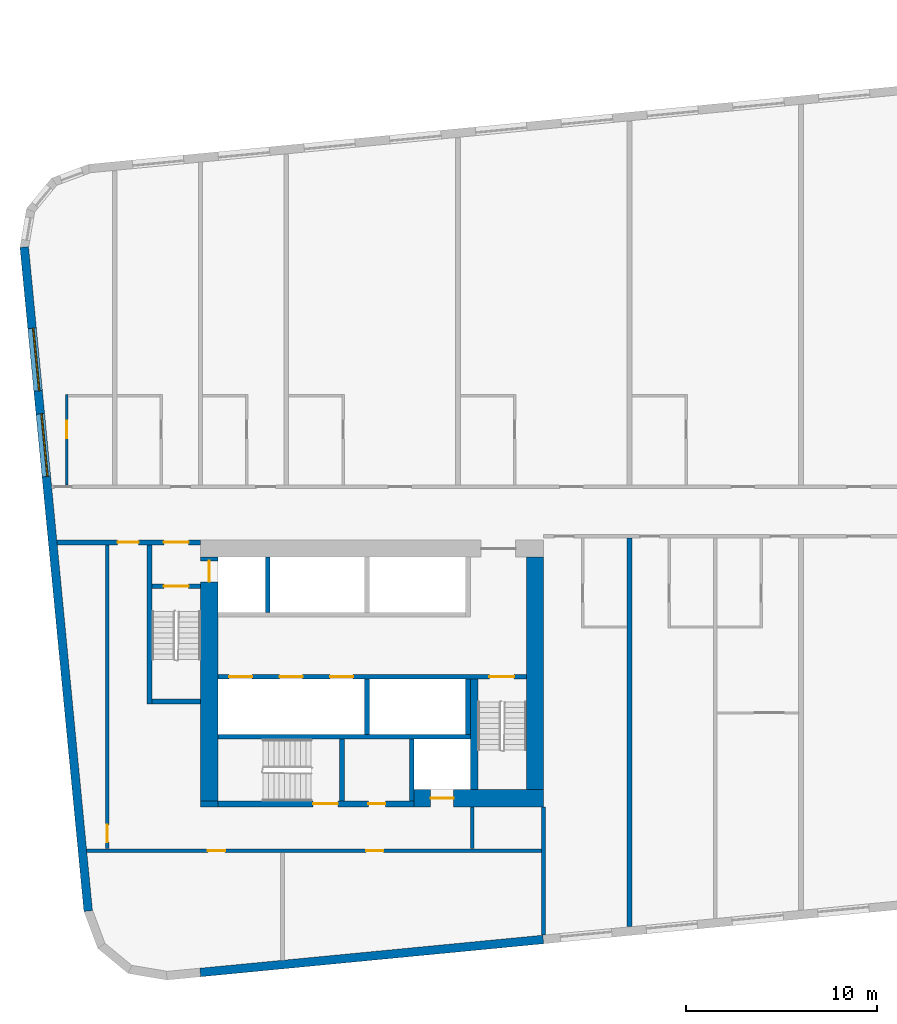
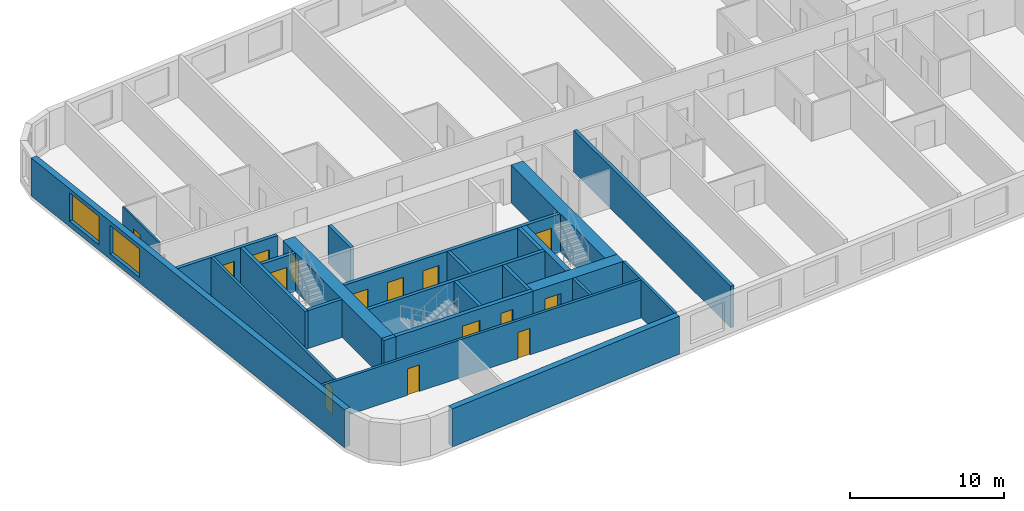
# One storey, part 2 of 12: 25 walls, 15 doors, 2 windows, 17 openings.
"""IFC4 building model written with IfcOpenShell, lengths in metres."""

from ifc_helpers import new_model, si_unit, direction, frame, frame_2d, origin, place, context, subcontext, project, spatial, rectangle, extrude, material, layer, layer_set, type_object, element, fill, save


model = new_model("IFC4")

# Units and contexts
model_context = context("Model", 3, precision=1e-05, world=origin(), true_north=direction((0.0, 1.0)))
body_context = subcontext(model_context, "Body", "Model", "MODEL_VIEW")
ifc_project = project(units=[si_unit("LENGTHUNIT", "METRE"), si_unit("AREAUNIT", "SQUARE_METRE"), si_unit("VOLUMEUNIT", "CUBIC_METRE"), si_unit("PLANEANGLEUNIT", "RADIAN"), si_unit("MASSUNIT", "GRAM", prefix="KILO")], contexts=[model_context])

# Site, building, storey
site_placement = place(None, origin())
site = spatial("IfcSite", under=ifc_project, at=site_placement, CompositionType="ELEMENT")
building_placement = place(site_placement, origin())
building = spatial("IfcBuilding", under=site, at=building_placement, Name="Kajstack Hotel Tower", CompositionType="ELEMENT")
storey_placement = place(building_placement, frame((0.0, 0.0, 114.10009765625)))
storey = spatial("IfcBuildingStorey", under=building, at=storey_placement, Name="L24", CompositionType="ELEMENT", Elevation=114.10009765625)

# Wall, opening, door
ifc_material_1 = material(Name="Concrete C60/75", Category="concrete")
ifc_layer_1 = layer(ifc_material_1, 0.89990234375)
ifc_layer_set_1 = layer_set([ifc_layer_1], Name="Core wall 900")
wall_type_1 = type_object("IfcWallType", Name="Core wall 900", PredefinedType="SHEAR", material=ifc_layer_set_1)
wall_1_placement = place(storey_placement, frame((-20.300048828125, -15.050048828125, 0.0), z_axis=(0.0, 0.0, 1.0), x_axis=(1.0, 0.0, 0.0)))
wall_1 = element("IfcWall", 1, at=wall_1_placement, inside=storey, type_object=wall_type_1, Name="Core wall W RS", PredefinedType="SHEAR", context=body_context, shape_type="SweptSolid", body=[
    extrude(rectangle(XDim=6.800048828125, YDim=0.89990234375, at=frame_2d((3.39990234375, 0.0))), origin(), (0.0, 0.0, 1.0), 3.02001953125),
])
opening_1_placement = place(wall_1_placement, frame((0.875, 0.0, 0.0)))
opening_1 = element("IfcOpeningElement", 2, at=opening_1_placement, cuts=wall_1, Name="Opening LD-SV1", PredefinedType="OPENING", context=body_context, shape_type="SweptSolid", body=[
    extrude(rectangle(XDim=1.199951171875, YDim=2.10009765625, at=frame_2d((0.60009765625, 1.050048828125))), frame((0.0, 0.4599609375, 0.0), z_axis=(0.0, -1.0, 0.0), x_axis=(1.0, 0.0, 0.0)), (0.0, 0.0, 1.0), 0.919921875),
])
ifc_material_2 = material(Name="Stainless steel", Category="steel")
door_type_1 = type_object("IfcDoorType", Name="Lift landing door 1200", OperationType="SLIDING_TO_LEFT", PredefinedType="DOOR", material=ifc_material_2)
door_1_placement = place(opening_1_placement, origin())
door_1 = element("IfcDoor", 3, at=door_1_placement, inside=storey, type_object=door_type_1, Name="Landing door SV1", OperationType="SLIDING_TO_LEFT", OverallHeight=2.10009765625, OverallWidth=1.199951171875, PredefinedType="DOOR", context=body_context, shape_type="SweptSolid", body=[
    extrude(rectangle(XDim=1.199951171875, YDim=2.10009765625, at=frame_2d((0.60009765625, 1.050048828125))), frame((0.0, 0.02490234375, 0.0), z_axis=(0.0, -1.0, 0.0), x_axis=(1.0, 0.0, 0.0)), (0.0, 0.0, 1.0), 0.050048828125),
])
fill(opening_1, door_1)

# Wall
wall_2_placement = place(storey_placement, frame((-31.5, -15.35009765625, 0.0), z_axis=(0.0, 0.0, 1.0), x_axis=(1.0, 0.0, 0.0)))
element("IfcWall", 4, at=wall_2_placement, inside=storey, type_object=wall_type_1, Name="Core wall W RSW", PredefinedType="SHEAR", context=body_context, shape_type="SweptSolid", body=[
    extrude(rectangle(XDim=0.89990234375, YDim=0.300048828125, at=frame_2d((0.449951171875, 0.0))), origin(), (0.0, 0.0, 1.0), 3.02001953125),
])

# Wall, opening, door
wall_3_placement = place(storey_placement, frame((-31.050048828125, -15.199951171875, 0.0), z_axis=(0.0, 0.0, 1.0), x_axis=(0.0, 1.0, 0.0)))
wall_3 = element("IfcWall", 5, at=wall_3_placement, inside=storey, type_object=wall_type_1, Name="Core wall W RW", PredefinedType="SHEAR", context=body_context, shape_type="SweptSolid", body=[
    extrude(rectangle(XDim=12.800048828125, YDim=0.89990234375, at=frame_2d((6.39990234375, 0.0))), origin(), (0.0, 0.0, 1.0), 3.02001953125),
])
opening_2_placement = place(wall_3_placement, frame((11.5, 0.0, 0.0)))
opening_2 = element("IfcOpeningElement", 6, at=opening_2_placement, cuts=wall_3, Name="Opening LD-FF1", PredefinedType="OPENING", context=body_context, shape_type="SweptSolid", body=[
    extrude(rectangle(XDim=1.10009765625, YDim=2.10009765625, at=frame_2d((0.550048828125, 1.050048828125))), frame((0.0, 0.4599609375, 0.0), z_axis=(0.0, -1.0, 0.0), x_axis=(1.0, 0.0, 0.0)), (0.0, 0.0, 1.0), 0.919921875),
])
door_type_2 = type_object("IfcDoorType", Name="Fire-fighting lift landing door 1100", OperationType="SLIDING_TO_LEFT", PredefinedType="DOOR", material=ifc_material_2)
door_2_placement = place(opening_2_placement, origin())
door_2 = element("IfcDoor", 7, at=door_2_placement, inside=storey, type_object=door_type_2, Name="Landing door FF1", OperationType="SLIDING_TO_RIGHT", OverallHeight=2.10009765625, OverallWidth=1.10009765625, PredefinedType="DOOR", context=body_context, shape_type="SweptSolid", body=[
    extrude(rectangle(XDim=1.10009765625, YDim=2.10009765625, at=frame_2d((0.550048828125, 1.050048828125))), frame((0.0, 0.02490234375, 0.0), z_axis=(0.0, -1.0, 0.0), x_axis=(1.0, 0.0, 0.0)), (0.0, 0.0, 1.0), 0.050048828125),
])
fill(opening_2, door_2)

# Walls
wall_4_placement = place(storey_placement, frame((-13.949951171875, -14.60009765625, 0.0), z_axis=(0.0, 0.0, 1.0), x_axis=(0.0, 1.0, 0.0)))
element("IfcWall", 8, at=wall_4_placement, inside=storey, type_object=wall_type_1, Name="Core wall W RE", PredefinedType="SHEAR", context=body_context, shape_type="SweptSolid", body=[
    extrude(rectangle(XDim=12.2001953125, YDim=0.89990234375, at=frame_2d((6.10009765625, 0.0))), origin(), (0.0, 0.0, 1.0), 3.02001953125),
])
ifc_material_3 = material(Name="Twin-frame gypsum board on steel studs, mineral wool", Category="steel")
ifc_layer_2 = layer(ifc_material_3, 0.199951171875)
ifc_layer_set_2 = layer_set([ifc_layer_2], Name="Demising wall 200")
wall_type_2 = type_object("IfcWallType", Name="Demising wall 200", PredefinedType="PARTITIONING", material=ifc_layer_set_2)
wall_5_placement = place(storey_placement, frame((-13.5, -22.23193359375, 0.0), z_axis=(0.0, 0.0, 1.0), x_axis=(0.0, 1.0, 0.0)))
element("IfcWall", 9, at=wall_5_placement, inside=storey, type_object=wall_type_2, Name="G-wall-L24-002", PredefinedType="PARTITIONING", context=body_context, shape_type="SweptSolid", body=[
    extrude(rectangle(XDim=6.73193359375, YDim=0.199951171875, at=frame_2d((3.365966796875, 0.0))), origin(), (0.0, 0.0, 1.0), 3.02001953125),
])
ifc_material_4 = material(Name="Concrete C40/50", Category="concrete")
ifc_layer_3 = layer(ifc_material_4, 0.449951171875)
ifc_layer_set_3 = layer_set([ifc_layer_3], Name="EW-CORE")
wall_type_3 = type_object("IfcWallType", Name="EW-CORE", PredefinedType="SOLIDWALL", material=ifc_layer_set_3)
wall_6_placement = place(storey_placement, frame((-31.521484375, -24.193603515625, 0.0), z_axis=(0.0, 0.0, 1.0), x_axis=(0.995396454615, 0.095843091245, 0.0)))
element("IfcWall", 10, at=wall_6_placement, inside=storey, type_object=wall_type_3, Name="E-wall-L24-04-01", PredefinedType="SOLIDWALL", context=body_context, shape_type="SweptSolid", body=[
    extrude(rectangle(XDim=18.083251953125, YDim=0.449951171875, at=frame_2d((9.04150390625, 0.0))), origin(), (0.0, 0.0, 1.0), 3.02001953125),
])

# Wall, openings, windows
ifc_material_5 = material(Name="Terracotta-faced brick masonry", Category="masonry")
ifc_layer_4 = layer(ifc_material_5, 0.449951171875)
ifc_layer_set_4 = layer_set([ifc_layer_4], Name="EW-TERRA")
wall_type_4 = type_object("IfcWallType", Name="EW-TERRA", PredefinedType="SOLIDWALL", material=ifc_layer_set_4)
wall_7_placement = place(storey_placement, frame((-40.7529296875, 13.87158203125, 0.0), z_axis=(0.0, 0.0, 1.0), x_axis=(0.095843327381, -0.995396431878, 0.0)))
wall_7 = element("IfcWall", 11, at=wall_7_placement, inside=storey, type_object=wall_type_4, Name="E-wall-L24-00-00", PredefinedType="SOLIDWALL", context=body_context, shape_type="SweptSolid", body=[
    extrude(rectangle(XDim=34.999755859375, YDim=0.449951171875, at=frame_2d((17.5, 0.0))), origin(), (0.0, 0.0, 1.0), 3.02001953125),
])
opening_3_placement = place(wall_7_placement, frame((4.27734375, 0.0, 0.449951171875)))
opening_3 = element("IfcOpeningElement", 12, at=opening_3_placement, cuts=wall_7, Name="Opening W2", PredefinedType="OPENING", context=body_context, shape_type="SweptSolid", body=[
    extrude(rectangle(XDim=3.300048828125, YDim=2.25, at=frame_2d((1.64990234375, 1.125))), frame((0.0, 0.23486328125, 0.0), z_axis=(0.0, -1.0, 0.0), x_axis=(1.0, 0.0, 0.0)), (0.0, 0.0, 1.0), 0.469970703125),
])
opening_4_placement = place(wall_7_placement, frame((8.798095703125, 0.0, 0.449951171875)))
opening_4 = element("IfcOpeningElement", 13, at=opening_4_placement, cuts=wall_7, Name="Opening W2", PredefinedType="OPENING", context=body_context, shape_type="SweptSolid", body=[
    extrude(rectangle(XDim=3.300048828125, YDim=2.25, at=frame_2d((1.64990234375, 1.125))), frame((0.0, 0.23486328125, 0.0), z_axis=(0.0, -1.0, 0.0), x_axis=(1.0, 0.0, 0.0)), (0.0, 0.0, 1.0), 0.469970703125),
])
ifc_material_6 = material(Name="Timber-aluminium window, triple glazed", Category="wood")
window_type = type_object("IfcWindowType", Name="WG2", PartitioningType="SINGLE_PANEL", PredefinedType="WINDOW", material=ifc_material_6)
window_1_placement = place(opening_3_placement, origin())
window_1 = element("IfcWindow", 14, at=window_1_placement, inside=storey, type_object=window_type, Name="Window W2 L24-00", OverallHeight=2.25, OverallWidth=3.300048828125, PartitioningType="SINGLE_PANEL", PredefinedType="WINDOW", context=body_context, shape_type="SweptSolid", body=[
    extrude(rectangle(XDim=3.300048828125, YDim=2.25, at=frame_2d((1.64990234375, 1.125))), frame((0.0, 0.090087890625, 0.0), z_axis=(0.0, -1.0, 0.0), x_axis=(1.0, 0.0, 0.0)), (0.0, 0.0, 1.0), 0.06005859375),
])
fill(opening_3, window_1)
window_2_placement = place(opening_4_placement, origin())
window_2 = element("IfcWindow", 15, at=window_2_placement, inside=storey, type_object=window_type, Name="Window W2 L24-00", OverallHeight=2.25, OverallWidth=3.300048828125, PartitioningType="SINGLE_PANEL", PredefinedType="WINDOW", context=body_context, shape_type="SweptSolid", body=[
    extrude(rectangle(XDim=3.300048828125, YDim=2.25, at=frame_2d((1.64990234375, 1.125))), frame((0.0, 0.090087890625, 0.0), z_axis=(0.0, -1.0, 0.0), x_axis=(1.0, 0.0, 0.0)), (0.0, 0.0, 1.0), 0.06005859375),
])
fill(opening_4, window_2)

# Wall, opening, door
ifc_material_7 = material(Name="Gypsum board and tiled backer on steel studs", Category="steel")
ifc_layer_5 = layer(ifc_material_7, 0.125)
ifc_layer_set_5 = layer_set([ifc_layer_5], Name="En-suite wall 125")
wall_type_5 = type_object("IfcWallType", Name="En-suite wall 125", PredefinedType="PARTITIONING", material=ifc_layer_set_5)
wall_8_placement = place(storey_placement, frame((-38.51904296875, 1.39990234375, 0.0), z_axis=(0.0, 0.0, 1.0), x_axis=(0.0, 1.0, 0.0)))
wall_8 = element("IfcWall", 16, at=wall_8_placement, inside=storey, type_object=wall_type_5, Name="G-wall-L24-004", PredefinedType="PARTITIONING", context=body_context, shape_type="SweptSolid", body=[
    extrude(rectangle(XDim=4.72509765625, YDim=0.125, at=frame_2d((2.362548828125, 0.0))), origin(), (0.0, 0.0, 1.0), 3.02001953125),
])
opening_5_placement = place(wall_8_placement, frame((2.449951171875, 0.0, 0.0)))
opening_5 = element("IfcOpeningElement", 17, at=opening_5_placement, cuts=wall_8, Name="Opening 24002", PredefinedType="OPENING", context=body_context, shape_type="SweptSolid", body=[
    extrude(rectangle(XDim=0.89990234375, YDim=2.10009765625, at=frame_2d((0.449951171875, 1.050048828125))), frame((0.0, 0.072509765625, 0.0), z_axis=(0.0, -1.0, 0.0), x_axis=(1.0, 0.0, 0.0)), (0.0, 0.0, 1.0), 0.14501953125),
])
ifc_material_8 = material(Name="Painted timber door leaf", Category="wood")
door_type_3 = type_object("IfcDoorType", Name="Room door 900", OperationType="SINGLE_SWING_LEFT", PredefinedType="DOOR", material=ifc_material_8)
door_3_placement = place(opening_5_placement, origin())
door_3 = element("IfcDoor", 18, at=door_3_placement, inside=storey, type_object=door_type_3, Name="G-door-L24-02", OperationType="SINGLE_SWING_LEFT", OverallHeight=2.10009765625, OverallWidth=0.89990234375, PredefinedType="DOOR", context=body_context, shape_type="SweptSolid", body=[
    extrude(rectangle(XDim=0.89990234375, YDim=2.10009765625, at=frame_2d((0.449951171875, 1.050048828125))), frame((0.0, 0.02490234375, 0.0), z_axis=(0.0, -1.0, 0.0), x_axis=(1.0, 0.0, 0.0)), (0.0, 0.0, 1.0), 0.050048828125),
])
fill(opening_5, door_3)

# Walls
ifc_material_9 = material(Name="Concrete C50/60", Category="concrete")
ifc_layer_6 = layer(ifc_material_9, 0.300048828125)
ifc_layer_set_6 = layer_set([ifc_layer_6], Name="Hoistway divider wall 300")
wall_type_6 = type_object("IfcWallType", Name="Hoistway divider wall 300", PredefinedType="SHEAR", material=ifc_layer_set_6)
wall_9_placement = place(storey_placement, frame((-22.77490234375, -11.699951171875, 0.0), z_axis=(0.0, 0.0, 1.0), x_axis=(0.0, 1.0, 0.0)))
element("IfcWall", 19, at=wall_9_placement, inside=storey, type_object=wall_type_6, Name="Core wall W BP2", PredefinedType="SHEAR", context=body_context, shape_type="SweptSolid", body=[
    extrude(rectangle(XDim=2.89990234375, YDim=0.25, at=frame_2d((1.449951171875, 0.0))), origin(), (0.0, 0.0, 1.0), 3.02001953125),
])
ifc_material_10 = material(Name="Concrete C55/67", Category="concrete")
ifc_layer_7 = layer(ifc_material_10, 0.25)
ifc_layer_set_7 = layer_set([ifc_layer_7], Name="RC cross wall 250 C55/67")
wall_type_7 = type_object("IfcWallType", Name="RC cross wall 250 C55/67", PredefinedType="SHEAR", material=ifc_layer_set_7)
wall_10_placement = place(storey_placement, frame((-9.0, -21.777099609375, 0.0), z_axis=(0.0, 0.0, 1.0), x_axis=(0.0, 1.0, 0.0)))
element("IfcWall", 20, at=wall_10_placement, inside=storey, type_object=wall_type_7, Name="S-wall-L24-04", PredefinedType="SHEAR", context=body_context, shape_type="SweptSolid", body=[
    extrude(rectangle(XDim=20.377197265625, YDim=0.25, at=frame_2d((10.1884765625, 0.0))), origin(), (0.0, 0.0, 1.0), 3.2998046875),
])

# Wall, openings, doors
ifc_material_11 = material(Name="Gypsum board on steel studs, mineral wool", Category="steel")
ifc_layer_8 = layer(ifc_material_11, 0.199951171875)
ifc_layer_set_8 = layer_set([ifc_layer_8], Name="Service partition 200")
wall_type_8 = type_object("IfcWallType", Name="Service partition 200", PredefinedType="PARTITIONING", material=ifc_layer_set_8)
wall_11_placement = place(storey_placement, frame((-39.034912109375, -1.625, 0.0), z_axis=(0.0, 0.0, 1.0), x_axis=(1.0, 0.0, 0.0)))
wall_11 = element("IfcWall", 21, at=wall_11_placement, inside=storey, type_object=wall_type_8, Name="Partition W SN", PredefinedType="PARTITIONING", context=body_context, shape_type="SweptSolid", body=[
    extrude(rectangle(XDim=7.534912109375, YDim=0.25, at=frame_2d((3.767578125, 0.0))), origin(), (0.0, 0.0, 1.0), 3.02001953125),
])
opening_6_placement = place(wall_11_placement, frame((5.60986328125, 0.0, 0.0)))
opening_6 = element("IfcOpeningElement", 22, at=opening_6_placement, cuts=wall_11, Name="Opening 24W07", PredefinedType="OPENING", context=body_context, shape_type="SweptSolid", body=[
    extrude(rectangle(XDim=1.300048828125, YDim=2.10009765625, at=frame_2d((0.64990234375, 1.050048828125))), frame((0.0, 0.135009765625, 0.0), z_axis=(0.0, -1.0, 0.0), x_axis=(1.0, 0.0, 0.0)), (0.0, 0.0, 1.0), 0.27001953125),
])
opening_7_placement = place(wall_11_placement, frame((3.184814453125, 0.0, 0.0)))
opening_7 = element("IfcOpeningElement", 23, at=opening_7_placement, cuts=wall_11, Name="Opening 24W09", PredefinedType="OPENING", context=body_context, shape_type="SweptSolid", body=[
    extrude(rectangle(XDim=1.10009765625, YDim=2.10009765625, at=frame_2d((0.550048828125, 1.050048828125))), frame((0.0, 0.135009765625, 0.0), z_axis=(0.0, -1.0, 0.0), x_axis=(1.0, 0.0, 0.0)), (0.0, 0.0, 1.0), 0.27001953125),
])
ifc_material_12 = material(Name="Steel leaf, fire-rated", Category="steel")
door_type_4 = type_object("IfcDoorType", Name="Fire lobby door 1300", OperationType="SINGLE_SWING_LEFT", PredefinedType="DOOR", material=ifc_material_12)
door_4_placement = place(opening_6_placement, origin())
door_4 = element("IfcDoor", 24, at=door_4_placement, inside=storey, type_object=door_type_4, Name="Door 24W07", OperationType="SINGLE_SWING_RIGHT", OverallHeight=2.10009765625, OverallWidth=1.300048828125, PredefinedType="DOOR", context=body_context, shape_type="SweptSolid", body=[
    extrude(rectangle(XDim=1.300048828125, YDim=2.10009765625, at=frame_2d((0.64990234375, 1.050048828125))), frame((0.0, 0.02490234375, 0.0), z_axis=(0.0, -1.0, 0.0), x_axis=(1.0, 0.0, 0.0)), (0.0, 0.0, 1.0), 0.050048828125),
])
fill(opening_6, door_4)
ifc_material_13 = material(Name="Timber leaf, fire-rated", Category="wood")
door_type_5 = type_object("IfcDoorType", Name="Service corridor door 1100", OperationType="SINGLE_SWING_LEFT", PredefinedType="DOOR", material=ifc_material_13)
door_5_placement = place(opening_7_placement, origin())
door_5 = element("IfcDoor", 25, at=door_5_placement, inside=storey, type_object=door_type_5, Name="Door 24W09", OperationType="SINGLE_SWING_RIGHT", OverallHeight=2.10009765625, OverallWidth=1.10009765625, PredefinedType="DOOR", context=body_context, shape_type="SweptSolid", body=[
    extrude(rectangle(XDim=1.10009765625, YDim=2.10009765625, at=frame_2d((0.550048828125, 1.050048828125))), frame((0.0, 0.02490234375, 0.0), z_axis=(0.0, -1.0, 0.0), x_axis=(1.0, 0.0, 0.0)), (0.0, 0.0, 1.0), 0.050048828125),
])
fill(opening_7, door_5)

# Wall
wall_12_placement = place(storey_placement, frame((-17.25, -17.699951171875, 0.0), z_axis=(0.0, 0.0, 1.0), x_axis=(0.0, 1.0, 0.0)))
element("IfcWall", 26, at=wall_12_placement, inside=storey, type_object=wall_type_8, Name="Partition W SCE", PredefinedType="PARTITIONING", context=body_context, shape_type="SweptSolid", body=[
    extrude(rectangle(XDim=2.199951171875, YDim=0.199951171875, at=frame_2d((1.10009765625, 0.0))), origin(), (0.0, 0.0, 1.0), 3.02001953125),
])

# Wall, opening, door
wall_13_placement = place(storey_placement, frame((-36.39990234375, -17.699951171875, 0.0), z_axis=(0.0, 0.0, 1.0), x_axis=(0.0, 1.0, 0.0)))
wall_13 = element("IfcWall", 27, at=wall_13_placement, inside=storey, type_object=wall_type_8, Name="Partition W WRE", PredefinedType="PARTITIONING", context=body_context, shape_type="SweptSolid", body=[
    extrude(rectangle(XDim=15.949951171875, YDim=0.199951171875, at=frame_2d((7.97509765625, 0.0))), origin(), (0.0, 0.0, 1.0), 3.02001953125),
])
opening_8_placement = place(wall_13_placement, frame((0.35009765625, 0.0, 0.0)))
opening_8 = element("IfcOpeningElement", 28, at=opening_8_placement, cuts=wall_13, Name="Opening 24W15", PredefinedType="OPENING", context=body_context, shape_type="SweptSolid", body=[
    extrude(rectangle(XDim=0.89990234375, YDim=2.10009765625, at=frame_2d((0.449951171875, 1.050048828125))), frame((0.0, 0.10986328125, 0.0), z_axis=(0.0, -1.0, 0.0), x_axis=(1.0, 0.0, 0.0)), (0.0, 0.0, 1.0), 0.219970703125),
])
door_type_6 = type_object("IfcDoorType", Name="Service door 900", OperationType="SINGLE_SWING_LEFT", PredefinedType="DOOR", material=ifc_material_13)
door_6_placement = place(opening_8_placement, origin())
door_6 = element("IfcDoor", 29, at=door_6_placement, inside=storey, type_object=door_type_6, Name="Door 24W15", OperationType="SINGLE_SWING_LEFT", OverallHeight=2.10009765625, OverallWidth=0.89990234375, PredefinedType="DOOR", context=body_context, shape_type="SweptSolid", body=[
    extrude(rectangle(XDim=0.89990234375, YDim=2.10009765625, at=frame_2d((0.449951171875, 1.050048828125))), frame((0.0, 0.02490234375, 0.0), z_axis=(0.0, -1.0, 0.0), x_axis=(1.0, 0.0, 0.0)), (0.0, 0.0, 1.0), 0.050048828125),
])
fill(opening_8, door_6)

# Wall, openings, doors
wall_14_placement = place(storey_placement, frame((-37.477294921875, -17.800048828125, 0.0), z_axis=(0.0, 0.0, 1.0), x_axis=(1.0, 0.0, 0.0)))
wall_14 = element("IfcWall", 30, at=wall_14_placement, inside=storey, type_object=wall_type_8, Name="Partition W SLN", PredefinedType="PARTITIONING", context=body_context, shape_type="SweptSolid", body=[
    extrude(rectangle(XDim=23.877197265625, YDim=0.199951171875, at=frame_2d((11.9384765625, 0.0))), origin(), (0.0, 0.0, 1.0), 3.02001953125),
])
opening_9_placement = place(wall_14_placement, frame((6.364990234375, 0.0, 0.0)))
opening_9 = element("IfcOpeningElement", 31, at=opening_9_placement, cuts=wall_14, Name="Opening 24W13", PredefinedType="OPENING", context=body_context, shape_type="SweptSolid", body=[
    extrude(rectangle(XDim=0.89990234375, YDim=2.10009765625, at=frame_2d((0.449951171875, 1.050048828125))), frame((0.0, 0.10986328125, 0.0), z_axis=(0.0, -1.0, 0.0), x_axis=(1.0, 0.0, 0.0)), (0.0, 0.0, 1.0), 0.219970703125),
])
opening_10_placement = place(wall_14_placement, frame((14.664794921875, 0.0, 0.0)))
opening_10 = element("IfcOpeningElement", 32, at=opening_10_placement, cuts=wall_14, Name="Opening 24W14", PredefinedType="OPENING", context=body_context, shape_type="SweptSolid", body=[
    extrude(rectangle(XDim=0.89990234375, YDim=2.10009765625, at=frame_2d((0.449951171875, 1.050048828125))), frame((0.0, 0.10986328125, 0.0), z_axis=(0.0, -1.0, 0.0), x_axis=(1.0, 0.0, 0.0)), (0.0, 0.0, 1.0), 0.219970703125),
])
door_7_placement = place(opening_9_placement, origin())
door_7 = element("IfcDoor", 33, at=door_7_placement, inside=storey, type_object=door_type_6, Name="Door 24W13", OperationType="SINGLE_SWING_RIGHT", OverallHeight=2.10009765625, OverallWidth=0.89990234375, PredefinedType="DOOR", context=body_context, shape_type="SweptSolid", body=[
    extrude(rectangle(XDim=0.89990234375, YDim=2.10009765625, at=frame_2d((0.449951171875, 1.050048828125))), frame((0.0, 0.02490234375, 0.0), z_axis=(0.0, -1.0, 0.0), x_axis=(1.0, 0.0, 0.0)), (0.0, 0.0, 1.0), 0.050048828125),
])
fill(opening_9, door_7)
door_8_placement = place(opening_10_placement, origin())
door_8 = element("IfcDoor", 34, at=door_8_placement, inside=storey, type_object=door_type_6, Name="Door 24W14", OperationType="SINGLE_SWING_RIGHT", OverallHeight=2.10009765625, OverallWidth=0.89990234375, PredefinedType="DOOR", context=body_context, shape_type="SweptSolid", body=[
    extrude(rectangle(XDim=0.89990234375, YDim=2.10009765625, at=frame_2d((0.449951171875, 1.050048828125))), frame((0.0, 0.02490234375, 0.0), z_axis=(0.0, -1.0, 0.0), x_axis=(1.0, 0.0, 0.0)), (0.0, 0.0, 1.0), 0.050048828125),
])
fill(opening_10, door_8)

ifc_layer_9 = layer(ifc_material_9, 0.25)
ifc_layer_set_9 = layer_set([ifc_layer_9], Name="Shaft wall 250")
wall_type_9 = type_object("IfcWallType", Name="Shaft wall 250", PredefinedType="SHEAR", material=ifc_layer_set_9)
wall_15_placement = place(storey_placement, frame((-30.60009765625, -15.35009765625, 0.0), z_axis=(0.0, 0.0, 1.0), x_axis=(1.0, 0.0, 0.0)))
wall_15 = element("IfcWall", 35, at=wall_15_placement, inside=storey, type_object=wall_type_9, Name="Core wall W RSS", PredefinedType="SHEAR", context=body_context, shape_type="SweptSolid", body=[
    extrude(rectangle(XDim=10.300048828125, YDim=0.300048828125, at=frame_2d((5.14990234375, 0.0))), origin(), (0.0, 0.0, 1.0), 3.02001953125),
])
opening_11_placement = place(wall_15_placement, frame((5.0, 0.0, 0.0)))
opening_11 = element("IfcOpeningElement", 36, at=opening_11_placement, cuts=wall_15, Name="Opening 24W11", PredefinedType="OPENING", context=body_context, shape_type="SweptSolid", body=[
    extrude(rectangle(XDim=1.300048828125, YDim=2.10009765625, at=frame_2d((0.64990234375, 1.050048828125))), frame((0.0, 0.159912109375, 0.0), z_axis=(0.0, -1.0, 0.0), x_axis=(1.0, 0.0, 0.0)), (0.0, 0.0, 1.0), 0.320068359375),
])
opening_12_placement = place(wall_15_placement, frame((7.89990234375, 0.0, 0.0)))
opening_12 = element("IfcOpeningElement", 37, at=opening_12_placement, cuts=wall_15, Name="Opening 24W12", PredefinedType="OPENING", context=body_context, shape_type="SweptSolid", body=[
    extrude(rectangle(XDim=0.89990234375, YDim=2.10009765625, at=frame_2d((0.449951171875, 1.050048828125))), frame((0.0, 0.159912109375, 0.0), z_axis=(0.0, -1.0, 0.0), x_axis=(1.0, 0.0, 0.0)), (0.0, 0.0, 1.0), 0.320068359375),
])
door_9_placement = place(opening_12_placement, origin())
door_9 = element("IfcDoor", 38, at=door_9_placement, inside=storey, type_object=door_type_6, Name="Door 24W12", OperationType="SINGLE_SWING_LEFT", OverallHeight=2.10009765625, OverallWidth=0.89990234375, PredefinedType="DOOR", context=body_context, shape_type="SweptSolid", body=[
    extrude(rectangle(XDim=0.89990234375, YDim=2.10009765625, at=frame_2d((0.449951171875, 1.050048828125))), frame((0.0, 0.02490234375, 0.0), z_axis=(0.0, -1.0, 0.0), x_axis=(1.0, 0.0, 0.0)), (0.0, 0.0, 1.0), 0.050048828125),
])
fill(opening_12, door_9)
door_type_7 = type_object("IfcDoorType", Name="Stair door 1300", OperationType="SINGLE_SWING_LEFT", PredefinedType="DOOR", material=ifc_material_12)
door_10_placement = place(opening_11_placement, origin())
door_10 = element("IfcDoor", 39, at=door_10_placement, inside=storey, type_object=door_type_7, Name="Door 24W11", OperationType="SINGLE_SWING_RIGHT", OverallHeight=2.10009765625, OverallWidth=1.300048828125, PredefinedType="DOOR", context=body_context, shape_type="SweptSolid", body=[
    extrude(rectangle(XDim=1.300048828125, YDim=2.10009765625, at=frame_2d((0.64990234375, 1.050048828125))), frame((0.0, 0.02490234375, 0.0), z_axis=(0.0, -1.0, 0.0), x_axis=(1.0, 0.0, 0.0)), (0.0, 0.0, 1.0), 0.050048828125),
])
fill(opening_11, door_10)

# Wall
wall_16_placement = place(storey_placement, frame((-27.97509765625, -5.300048828125, 0.0), z_axis=(0.0, 0.0, 1.0), x_axis=(0.0, 1.0, 0.0)))
element("IfcWall", 40, at=wall_16_placement, inside=storey, type_object=wall_type_9, Name="Core wall W AP0", PredefinedType="SHEAR", context=body_context, shape_type="SweptSolid", body=[
    extrude(rectangle(XDim=2.900146484375, YDim=0.25, at=frame_2d((1.4501953125, 0.0))), origin(), (0.0, 0.0, 1.0), 3.02001953125),
])

# Wall, openings, doors
wall_17_placement = place(storey_placement, frame((-30.60009765625, -8.675048828125, 0.0), z_axis=(0.0, 0.0, 1.0), x_axis=(1.0, 0.0, 0.0)))
wall_17 = element("IfcWall", 41, at=wall_17_placement, inside=storey, type_object=wall_type_9, Name="Core wall W FB", PredefinedType="SHEAR", context=body_context, shape_type="SweptSolid", body=[
    extrude(rectangle(XDim=16.2001953125, YDim=0.25, at=frame_2d((8.10009765625, 0.0))), origin(), (0.0, 0.0, 1.0), 3.02001953125),
])
opening_13_placement = place(wall_17_placement, frame((0.60009765625, 0.0, 0.0)))
opening_13 = element("IfcOpeningElement", 42, at=opening_13_placement, cuts=wall_17, Name="Opening LD-LR1", PredefinedType="OPENING", context=body_context, shape_type="SweptSolid", body=[
    extrude(rectangle(XDim=1.199951171875, YDim=2.10009765625, at=frame_2d((0.60009765625, 1.050048828125))), frame((0.0, 0.135009765625, 0.0), z_axis=(0.0, -1.0, 0.0), x_axis=(1.0, 0.0, 0.0)), (0.0, 0.0, 1.0), 0.27001953125),
])
opening_14_placement = place(wall_17_placement, frame((3.25, 0.0, 0.0)))
opening_14 = element("IfcOpeningElement", 43, at=opening_14_placement, cuts=wall_17, Name="Opening LD-LR2", PredefinedType="OPENING", context=body_context, shape_type="SweptSolid", body=[
    extrude(rectangle(XDim=1.199951171875, YDim=2.10009765625, at=frame_2d((0.60009765625, 1.050048828125))), frame((0.0, 0.135009765625, 0.0), z_axis=(0.0, -1.0, 0.0), x_axis=(1.0, 0.0, 0.0)), (0.0, 0.0, 1.0), 0.27001953125),
])
opening_15_placement = place(wall_17_placement, frame((5.89990234375, 0.0, 0.0)))
opening_15 = element("IfcOpeningElement", 44, at=opening_15_placement, cuts=wall_17, Name="Opening LD-LR3", PredefinedType="OPENING", context=body_context, shape_type="SweptSolid", body=[
    extrude(rectangle(XDim=1.199951171875, YDim=2.10009765625, at=frame_2d((0.60009765625, 1.050048828125))), frame((0.0, 0.135009765625, 0.0), z_axis=(0.0, -1.0, 0.0), x_axis=(1.0, 0.0, 0.0)), (0.0, 0.0, 1.0), 0.27001953125),
])
opening_16_placement = place(wall_17_placement, frame((14.25, 0.0, 0.0)))
opening_16 = element("IfcOpeningElement", 45, at=opening_16_placement, cuts=wall_17, Name="Opening 24W10", PredefinedType="OPENING", context=body_context, shape_type="SweptSolid", body=[
    extrude(rectangle(XDim=1.300048828125, YDim=2.10009765625, at=frame_2d((0.64990234375, 1.050048828125))), frame((0.0, 0.135009765625, 0.0), z_axis=(0.0, -1.0, 0.0), x_axis=(1.0, 0.0, 0.0)), (0.0, 0.0, 1.0), 0.27001953125),
])
door_11_placement = place(opening_13_placement, origin())
door_11 = element("IfcDoor", 46, at=door_11_placement, inside=storey, type_object=door_type_1, Name="Landing door LR1", OperationType="SLIDING_TO_LEFT", OverallHeight=2.10009765625, OverallWidth=1.199951171875, PredefinedType="DOOR", context=body_context, shape_type="SweptSolid", body=[
    extrude(rectangle(XDim=1.199951171875, YDim=2.10009765625, at=frame_2d((0.60009765625, 1.050048828125))), frame((0.0, 0.02490234375, 0.0), z_axis=(0.0, -1.0, 0.0), x_axis=(1.0, 0.0, 0.0)), (0.0, 0.0, 1.0), 0.050048828125),
])
fill(opening_13, door_11)
door_12_placement = place(opening_14_placement, origin())
door_12 = element("IfcDoor", 47, at=door_12_placement, inside=storey, type_object=door_type_1, Name="Landing door LR2", OperationType="SLIDING_TO_RIGHT", OverallHeight=2.10009765625, OverallWidth=1.199951171875, PredefinedType="DOOR", context=body_context, shape_type="SweptSolid", body=[
    extrude(rectangle(XDim=1.199951171875, YDim=2.10009765625, at=frame_2d((0.60009765625, 1.050048828125))), frame((0.0, 0.02490234375, 0.0), z_axis=(0.0, -1.0, 0.0), x_axis=(1.0, 0.0, 0.0)), (0.0, 0.0, 1.0), 0.050048828125),
])
fill(opening_14, door_12)
door_13_placement = place(opening_15_placement, origin())
door_13 = element("IfcDoor", 48, at=door_13_placement, inside=storey, type_object=door_type_1, Name="Landing door LR3", OperationType="SLIDING_TO_RIGHT", OverallHeight=2.10009765625, OverallWidth=1.199951171875, PredefinedType="DOOR", context=body_context, shape_type="SweptSolid", body=[
    extrude(rectangle(XDim=1.199951171875, YDim=2.10009765625, at=frame_2d((0.60009765625, 1.050048828125))), frame((0.0, 0.02490234375, 0.0), z_axis=(0.0, -1.0, 0.0), x_axis=(1.0, 0.0, 0.0)), (0.0, 0.0, 1.0), 0.050048828125),
])
fill(opening_15, door_13)
door_14_placement = place(opening_16_placement, origin())
door_14 = element("IfcDoor", 49, at=door_14_placement, inside=storey, type_object=door_type_7, Name="Door 24W10", OperationType="SINGLE_SWING_RIGHT", OverallHeight=2.10009765625, OverallWidth=1.300048828125, PredefinedType="DOOR", context=body_context, shape_type="SweptSolid", body=[
    extrude(rectangle(XDim=1.300048828125, YDim=2.10009765625, at=frame_2d((0.64990234375, 1.050048828125))), frame((0.0, 0.02490234375, 0.0), z_axis=(0.0, -1.0, 0.0), x_axis=(1.0, 0.0, 0.0)), (0.0, 0.0, 1.0), 0.050048828125),
])
fill(opening_16, door_14)

# Walls
wall_18_placement = place(storey_placement, frame((-30.60009765625, -11.824951171875, 0.0), z_axis=(0.0, 0.0, 1.0), x_axis=(1.0, 0.0, 0.0)))
element("IfcWall", 50, at=wall_18_placement, inside=storey, type_object=wall_type_9, Name="Core wall W RB", PredefinedType="SHEAR", context=body_context, shape_type="SweptSolid", body=[
    extrude(rectangle(XDim=13.25, YDim=0.25, at=frame_2d((6.625, 0.0))), origin(), (0.0, 0.0, 1.0), 3.02001953125),
])
wall_19_placement = place(storey_placement, frame((-17.47509765625, -11.699951171875, 0.0), z_axis=(0.0, 0.0, 1.0), x_axis=(0.0, 1.0, 0.0)))
element("IfcWall", 51, at=wall_19_placement, inside=storey, type_object=wall_type_9, Name="Core wall W BE", PredefinedType="SHEAR", context=body_context, shape_type="SweptSolid", body=[
    extrude(rectangle(XDim=2.89990234375, YDim=0.25, at=frame_2d((1.449951171875, 0.0))), origin(), (0.0, 0.0, 1.0), 3.02001953125),
])
wall_20_placement = place(storey_placement, frame((-20.425048828125, -15.199951171875, 0.0), z_axis=(0.0, 0.0, 1.0), x_axis=(0.0, 1.0, 0.0)))
element("IfcWall", 52, at=wall_20_placement, inside=storey, type_object=wall_type_9, Name="Core wall W SVW", PredefinedType="SHEAR", context=body_context, shape_type="SweptSolid", body=[
    extrude(rectangle(XDim=3.25, YDim=0.25, at=frame_2d((1.625, 0.0))), origin(), (0.0, 0.0, 1.0), 3.02001953125),
])

# Wall, opening, door
ifc_layer_10 = layer(ifc_material_4, 0.25)
ifc_layer_set_10 = layer_set([ifc_layer_10], Name="Stair enclosure wall 250")
wall_type_10 = type_object("IfcWallType", Name="Stair enclosure wall 250", PredefinedType="SHEAR", material=ifc_layer_set_10)
wall_21_placement = place(storey_placement, frame((-34.050048828125, -3.925048828125, 0.0), z_axis=(0.0, 0.0, 1.0), x_axis=(1.0, 0.0, 0.0)))
wall_21 = element("IfcWall", 53, at=wall_21_placement, inside=storey, type_object=wall_type_10, Name="Core wall W W1N", PredefinedType="SHEAR", context=body_context, shape_type="SweptSolid", body=[
    extrude(rectangle(XDim=2.550048828125, YDim=0.25, at=frame_2d((1.27490234375, 0.0))), origin(), (0.0, 0.0, 1.0), 3.02001953125),
])
opening_17_placement = place(wall_21_placement, frame((0.625, 0.0, 0.0)))
opening_17 = element("IfcOpeningElement", 54, at=opening_17_placement, cuts=wall_21, Name="Opening 24W08", PredefinedType="OPENING", context=body_context, shape_type="SweptSolid", body=[
    extrude(rectangle(XDim=1.300048828125, YDim=2.10009765625, at=frame_2d((0.64990234375, 1.050048828125))), frame((0.0, 0.135009765625, 0.0), z_axis=(0.0, -1.0, 0.0), x_axis=(1.0, 0.0, 0.0)), (0.0, 0.0, 1.0), 0.27001953125),
])
door_15_placement = place(opening_17_placement, origin())
door_15 = element("IfcDoor", 55, at=door_15_placement, inside=storey, type_object=door_type_7, Name="Door 24W08", OperationType="SINGLE_SWING_RIGHT", OverallHeight=2.10009765625, OverallWidth=1.300048828125, PredefinedType="DOOR", context=body_context, shape_type="SweptSolid", body=[
    extrude(rectangle(XDim=1.300048828125, YDim=2.10009765625, at=frame_2d((0.64990234375, 1.050048828125))), frame((0.0, 0.02490234375, 0.0), z_axis=(0.0, -1.0, 0.0), x_axis=(1.0, 0.0, 0.0)), (0.0, 0.0, 1.0), 0.050048828125),
])
fill(opening_17, door_15)

# Walls
wall_22_placement = place(storey_placement, frame((-34.175048828125, -10.10009765625, 0.0), z_axis=(0.0, 0.0, 1.0), x_axis=(0.0, 1.0, 0.0)))
element("IfcWall", 56, at=wall_22_placement, inside=storey, type_object=wall_type_10, Name="Core wall W W1W", PredefinedType="SHEAR", context=body_context, shape_type="SweptSolid", body=[
    extrude(rectangle(XDim=8.35009765625, YDim=0.25, at=frame_2d((4.175048828125, 0.0))), origin(), (0.0, 0.0, 1.0), 3.02001953125),
])
wall_23_placement = place(storey_placement, frame((-34.050048828125, -9.97509765625, 0.0), z_axis=(0.0, 0.0, 1.0), x_axis=(1.0, 0.0, 0.0)))
element("IfcWall", 57, at=wall_23_placement, inside=storey, type_object=wall_type_10, Name="Core wall W W1S", PredefinedType="SHEAR", context=body_context, shape_type="SweptSolid", body=[
    extrude(rectangle(XDim=2.550048828125, YDim=0.25, at=frame_2d((1.27490234375, 0.0))), origin(), (0.0, 0.0, 1.0), 3.02001953125),
])
ifc_layer_11 = layer(ifc_material_9, 0.35009765625)
ifc_layer_set_11 = layer_set([ifc_layer_11], Name="Stair enclosure wall 350")
wall_type_11 = type_object("IfcWallType", Name="Stair enclosure wall 350", PredefinedType="SHEAR", material=ifc_layer_set_11)
wall_24_placement = place(storey_placement, frame((-24.074951171875, -15.199951171875, 0.0), z_axis=(0.0, 0.0, 1.0), x_axis=(0.0, 1.0, 0.0)))
element("IfcWall", 58, at=wall_24_placement, inside=storey, type_object=wall_type_11, Name="Core wall W W3E", PredefinedType="SHEAR", context=body_context, shape_type="SweptSolid", body=[
    extrude(rectangle(XDim=3.25, YDim=0.25, at=frame_2d((1.625, 0.0))), origin(), (0.0, 0.0, 1.0), 3.02001953125),
])
ifc_layer_12 = layer(ifc_material_9, 0.39990234375)
ifc_layer_set_12 = layer_set([ifc_layer_12], Name="Stair wall 400")
wall_type_12 = type_object("IfcWallType", Name="Stair wall 400", PredefinedType="SHEAR", material=ifc_layer_set_12)
wall_25_placement = place(storey_placement, frame((-17.14990234375, -14.60009765625, 0.0), z_axis=(0.0, 0.0, 1.0), x_axis=(0.0, 1.0, 0.0)))
element("IfcWall", 59, at=wall_25_placement, inside=storey, type_object=wall_type_12, Name="Core wall W WW2", PredefinedType="SHEAR", context=body_context, shape_type="SweptSolid", body=[
    extrude(rectangle(XDim=5.800048828125, YDim=0.39990234375, at=frame_2d((2.89990234375, 0.0))), origin(), (0.0, 0.0, 1.0), 3.02001953125),
])

save(model, "model.ifc")
